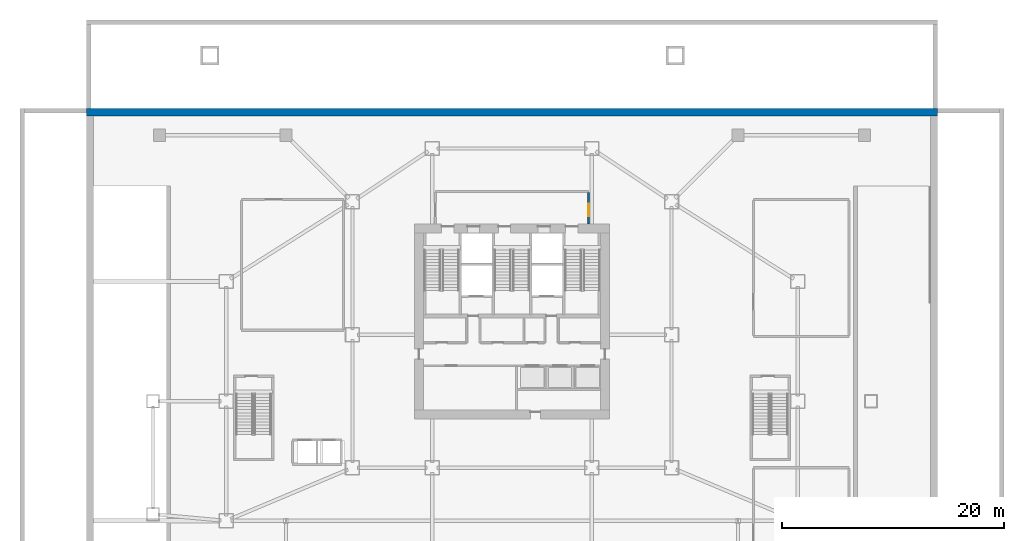
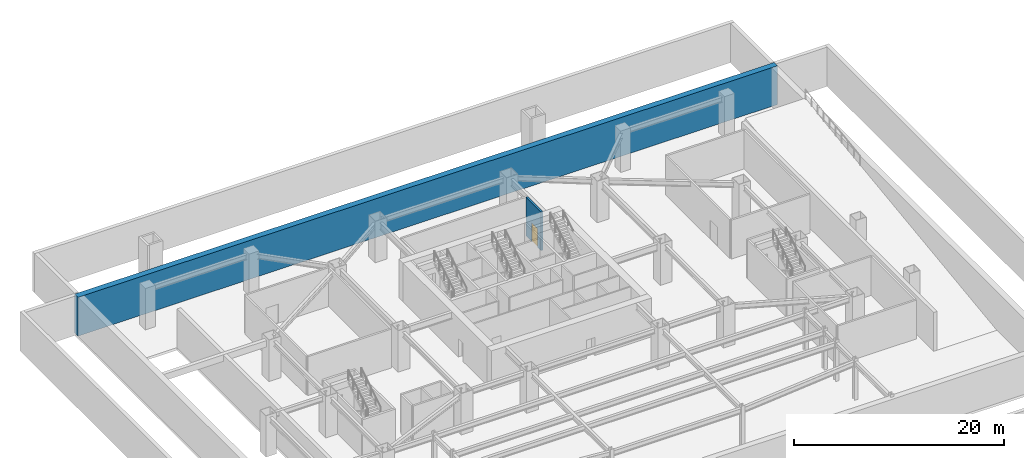
# One storey, part 9 of 15: 2 walls, 1 door, 1 opening.
"""IFC4 building model written with IfcOpenShell, lengths in metres."""

from ifc_helpers import new_model, si_unit, direction, frame, frame_2d, origin, place, context, subcontext, project, spatial, rectangle, extrude, material, layer, layer_set, type_object, element, fill, save


model = new_model("IFC4")

# Units and contexts
model_context = context("Model", 3, precision=1e-05, world=origin(), true_north=direction((0.0, 1.0)))
body_context = subcontext(model_context, "Body", "Model", "MODEL_VIEW")
ifc_project = project(units=[si_unit("LENGTHUNIT", "METRE"), si_unit("AREAUNIT", "SQUARE_METRE"), si_unit("VOLUMEUNIT", "CUBIC_METRE"), si_unit("PLANEANGLEUNIT", "RADIAN"), si_unit("MASSUNIT", "GRAM", prefix="KILO")], contexts=[model_context])

# Site, building, storey
site_placement = place(None, origin())
site = spatial("IfcSite", under=ifc_project, at=site_placement, CompositionType="ELEMENT")
building_placement = place(site_placement, origin())
building = spatial("IfcBuilding", under=site, at=building_placement, Name="Haolan Belvedere Tower", CompositionType="ELEMENT")
storey_placement = place(building_placement, frame((0.0, 0.0, -4.800048828125)))
storey = spatial("IfcBuildingStorey", under=building, at=storey_placement, Name="B1", CompositionType="ELEMENT", Elevation=-4.800048828125)

# Wall, opening, door
ifc_material_1 = material(Name="Concrete C40/50", Category="concrete")
ifc_layer_1 = layer(ifc_material_1, 0.199951171875, Name="Concrete C40/50")
ifc_layer_set_1 = layer_set([ifc_layer_1], Name="Concrete C40/50")
wall_type_1 = type_object("IfcWallType", Name="WL-FIRE-200", PredefinedType="SOLIDWALL", material=ifc_layer_set_1)
wall_1_placement = place(storey_placement, frame((45.300048828125, 43.60009765625, 0.0), z_axis=(0.0, 0.0, 1.0), x_axis=(0.0, 1.0, 0.0)))
wall_1 = element("IfcWall", 1, at=wall_1_placement, inside=storey, type_object=wall_type_1, Name="B1 interior partition IW-B1-FFL-E", PredefinedType="SOLIDWALL", context=body_context, shape_type="SweptSolid", body=[
    extrude(rectangle(XDim=2.8349609375, YDim=0.199951171875, at=frame_2d((1.41748046875, 0.0))), origin(), (0.0, 0.0, 1.0), 4.5),
])
opening_placement = place(wall_1_placement, frame((0.699951171875, 0.0, 0.0)))
opening = element("IfcOpeningElement", 2, at=opening_placement, cuts=wall_1, Name="Opening FD-03", PredefinedType="OPENING", context=body_context, shape_type="SweptSolid", body=[
    extrude(rectangle(XDim=1.10009765625, YDim=2.14990234375, at=frame_2d((0.550048828125, 1.074951171875))), frame((0.0, 0.10986328125, 0.0), z_axis=(0.0, -1.0, 0.0), x_axis=(1.0, 0.0, 0.0)), (0.0, 0.0, 1.0), 0.219970703125),
])
ifc_material_2 = material(Name="Galvanised fire-rated steel", Category="steel")
door_type = type_object("IfcDoorType", Name="DR-FD90-1100", OperationType="NOTDEFINED", PredefinedType="DOOR", material=ifc_material_2)
door_placement = place(opening_placement, origin())
door = element("IfcDoor", 3, at=door_placement, inside=storey, type_object=door_type, Name="B1 door ID-B1-FFL-DE", OperationType="SINGLE_SWING_RIGHT", OverallHeight=2.14990234375, OverallWidth=1.10009765625, PredefinedType="DOOR", context=body_context, shape_type="SweptSolid", body=[
    extrude(rectangle(XDim=1.10009765625, YDim=2.14990234375, at=frame_2d((0.550048828125, 1.074951171875))), frame((0.0, 0.02490234375, 0.0), z_axis=(0.0, -1.0, 0.0), x_axis=(1.0, 0.0, 0.0)), (0.0, 0.0, 1.0), 0.050048828125),
])
fill(opening, door)

# Wall
ifc_material_3 = material(Name="Concrete C50/60", Category="concrete")
ifc_layer_2 = layer(ifc_material_3, 0.64990234375, Name="Concrete C50/60")
ifc_layer_set_2 = layer_set([ifc_layer_2], Name="Concrete C50/60")
wall_type_2 = type_object("IfcWallType", Name="WL-RET-650", PredefinedType="USERDEFINED", material=ifc_layer_set_2)
wall_2_placement = place(storey_placement, frame((0.0, 53.675048828125, 0.0), z_axis=(0.0, 0.0, 1.0), x_axis=(1.0, 0.0, 0.0)))
element("IfcWall", 4, at=wall_2_placement, inside=storey, type_object=wall_type_2, Name="B1 perimeter retaining wall N", ObjectType="RETAINING", PredefinedType="USERDEFINED", context=body_context, shape_type="SweptSolid", body=[
    extrude(rectangle(XDim=76.800048828125, YDim=0.64990234375, at=frame_2d((38.39990234375, 0.0))), origin(), (0.0, 0.0, 1.0), 4.5),
])

save(model, "model.ifc")
